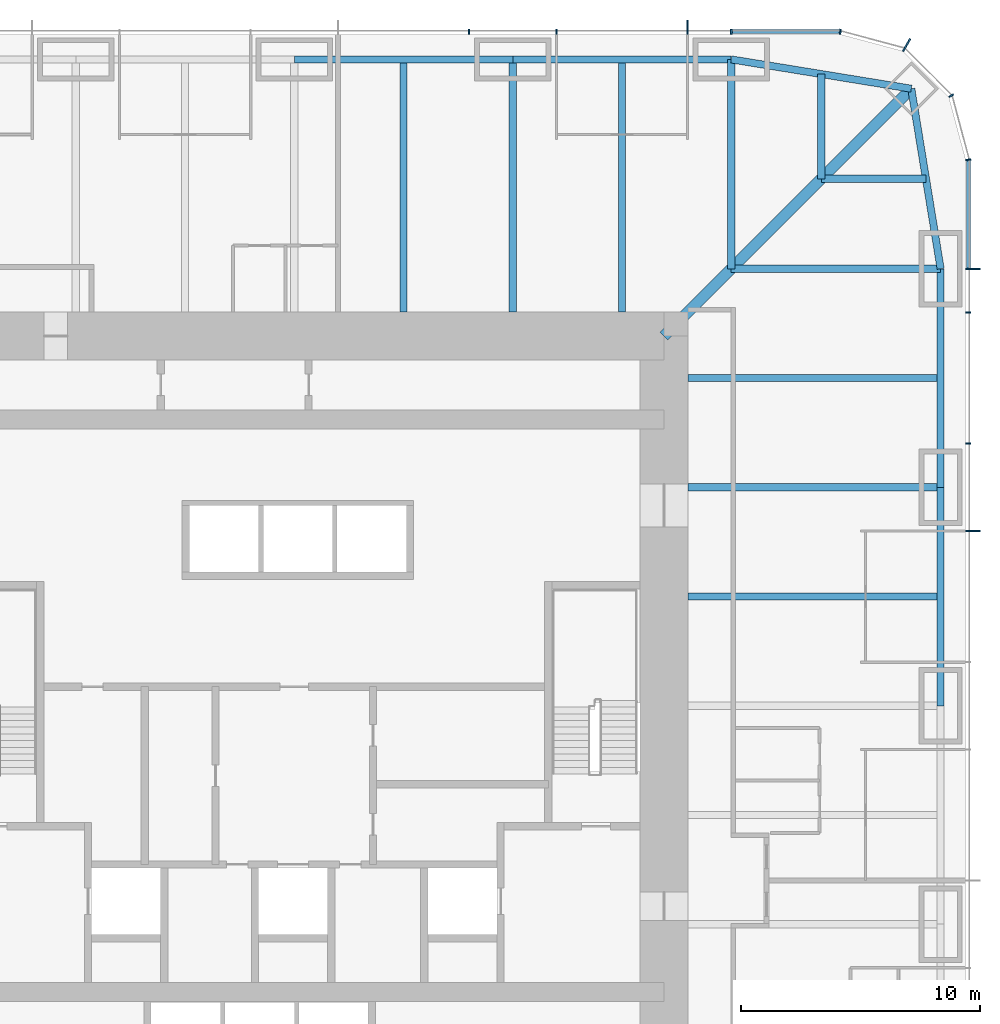
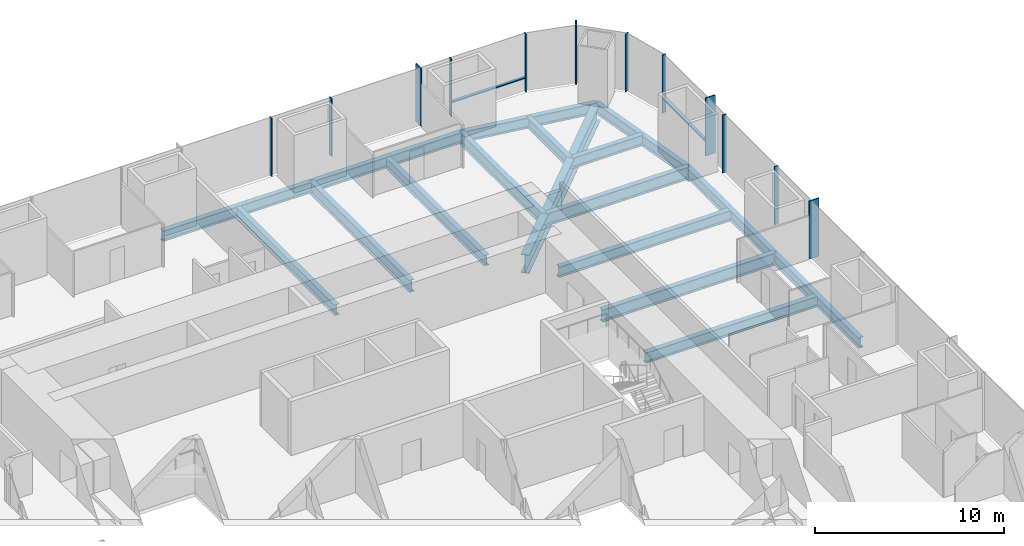
# One storey, part 5 of 11: 17 beams, 14 members, 3 elements without a shape of their own.
"""IFC4 building model written with IfcOpenShell, lengths in metres."""

from ifc_helpers import new_model, si_unit, direction, frame, origin, origin_2d, place, context, subcontext, project, spatial, rectangle, i_section, extrude, material, material_profile, profile_set, type_object, element, aggregate, save


model = new_model("IFC4")

# Units and contexts
model_context = context("Model", 3, precision=1e-05, world=origin(), true_north=direction((0.0, 1.0)))
body_context = subcontext(model_context, "Body", "Model", "MODEL_VIEW")
ifc_project = project(units=[si_unit("LENGTHUNIT", "METRE"), si_unit("AREAUNIT", "SQUARE_METRE"), si_unit("VOLUMEUNIT", "CUBIC_METRE"), si_unit("PLANEANGLEUNIT", "RADIAN"), si_unit("MASSUNIT", "GRAM", prefix="KILO")], contexts=[model_context])

# Site, building, storey
site_placement = place(None, origin())
site = spatial("IfcSite", under=ifc_project, at=site_placement, CompositionType="ELEMENT")
building_placement = place(site_placement, origin())
building = spatial("IfcBuilding", under=site, at=building_placement, Name="Khuree Lantern Residences", CompositionType="ELEMENT")
storey_placement = place(building_placement, frame((0.0, 0.0, 174.75)))
storey = spatial("IfcBuildingStorey", under=building, at=storey_placement, Name="L44", CompositionType="ELEMENT", Elevation=174.75)

# Beams
ifc_material_1 = material(Name="Steel S355", Category="steel")
ifc_material_profile_1 = material_profile(ifc_material_1, i_section(OverallWidth=0.300048828125, OverallDepth=0.68994140625, WebThickness=0.014404296875, FlangeThickness=0.027099609375, FilletRadius=0.027099609375, at=origin_2d()), Name="HE 700 A")
ifc_profile_set_1 = profile_set([ifc_material_profile_1], Name="Steel S355")
beam_type_1 = type_object("IfcBeamType", Name="B-25A SECONDARY BEAM HE 700 A", PredefinedType="BEAM", material=ifc_profile_set_1)
for number, where, z_axis, x_axis, name in (
    (1, (4.580078125, 27.10009765625, -0.594970703125), (0.0, -1.0, 0.0), (1.0, 0.0, 0.0), "Secondary beam N3"),
    (2, (13.739990234375, 27.10009765625, -0.594970703125), (0.0, -1.0, 0.0), (1.0, 0.0, 0.0), "Secondary beam N4"),
):
    element("IfcBeam", number, at=place(storey_placement, frame(where, z_axis=z_axis, x_axis=x_axis)), inside=storey, type_object=beam_type_1, Name=name, PredefinedType="BEAM", context=body_context, shape_type="SweptSolid", body=[
        extrude(i_section(OverallWidth=0.300048828125, OverallDepth=0.68994140625, WebThickness=0.014404296875, FlangeThickness=0.027099609375, FilletRadius=0.027099609375, at=origin_2d()), origin(), (0.0, 0.0, 1.0), 10.60009765625),
    ])
for number, where, z_axis, x_axis, name in (
    (3, (22.094970703125, 26.48486328125, -0.594970703125), (0.0, -1.0, 0.0), (1.0, 0.0, 0.0), "Secondary beam N5"),
    (4, (26.48486328125, 22.094970703125, -0.594970703125), (-1.0, 0.0, 0.0), (0.0, -1.0, 0.0), "Secondary beam E1"),
):
    element("IfcBeam", number, at=place(storey_placement, frame(where, z_axis=z_axis, x_axis=x_axis)), inside=storey, type_object=beam_type_1, Name=name, PredefinedType="BEAM", context=body_context, shape_type="SweptSolid", body=[
        extrude(i_section(OverallWidth=0.300048828125, OverallDepth=0.68994140625, WebThickness=0.014404296875, FlangeThickness=0.027099609375, FilletRadius=0.027099609375, at=origin_2d()), origin(), (0.0, 0.0, 1.0), 4.389892578125),
    ])
for number, where, z_axis, x_axis, name in (
    (5, (27.10009765625, 13.739990234375, -0.594970703125), (-1.0, 0.0, 0.0), (0.0, -1.0, 0.0), "Secondary beam E2"),
    (6, (27.10009765625, 4.580078125, -0.594970703125), (-1.0, 0.0, 0.0), (0.0, -1.0, 0.0), "Secondary beam E3"),
):
    element("IfcBeam", number, at=place(storey_placement, frame(where, z_axis=z_axis, x_axis=x_axis)), inside=storey, type_object=beam_type_1, Name=name, PredefinedType="BEAM", context=body_context, shape_type="SweptSolid", body=[
        extrude(i_section(OverallWidth=0.300048828125, OverallDepth=0.68994140625, WebThickness=0.014404296875, FlangeThickness=0.027099609375, FilletRadius=0.027099609375, at=origin_2d()), origin(), (0.0, 0.0, 1.0), 10.60009765625),
    ])
ifc_material_profile_2 = material_profile(ifc_material_1, i_section(OverallWidth=0.300048828125, OverallDepth=0.68994140625, WebThickness=0.014404296875, FlangeThickness=0.027099609375, FilletRadius=0.027099609375, at=origin_2d()), Name="HE 700 A")
ifc_profile_set_2 = profile_set([ifc_material_profile_2], Name="Steel S355")
beam_type_2 = type_object("IfcBeamType", Name="E-25 SPANDREL BEAM HE 700 A", PredefinedType="SPANDREL", material=ifc_profile_set_2)
beam_1_placement = place(storey_placement, frame((0.0, 27.10009765625, -0.594970703125), z_axis=(1.0, 0.0, 0.0), x_axis=(0.0, 1.0, 0.0)))
element("IfcBeam", 7, at=beam_1_placement, inside=storey, type_object=beam_type_2, Name="Spandrel beam N3", PredefinedType="SPANDREL", context=body_context, shape_type="SweptSolid", body=[
    extrude(i_section(OverallWidth=0.300048828125, OverallDepth=0.68994140625, WebThickness=0.014404296875, FlangeThickness=0.027099609375, FilletRadius=0.027099609375, at=origin_2d()), origin(), (0.0, 0.0, 1.0), 9.159912109375),
])
beam_2_placement = place(storey_placement, frame((9.159912109375, 27.10009765625, -0.594970703125), z_axis=(1.0, 0.0, 0.0), x_axis=(0.0, 1.0, 0.0)))
element("IfcBeam", 8, at=beam_2_placement, inside=storey, type_object=beam_type_2, Name="Spandrel beam N4", PredefinedType="SPANDREL", context=body_context, shape_type="SweptSolid", body=[
    extrude(i_section(OverallWidth=0.300048828125, OverallDepth=0.68994140625, WebThickness=0.014404296875, FlangeThickness=0.027099609375, FilletRadius=0.027099609375, at=origin_2d()), origin(), (0.0, 0.0, 1.0), 9.16015625),
])
for number, where, z_axis, x_axis, name in (
    (9, (18.320068359375, 27.10009765625, -0.594970703125), (0.986982656839, -0.160826723833, 0.0), (0.160826723833, 0.986982656839, 0.0), "Spandrel beam N5"),
    (10, (25.869873046875, 25.869873046875, -0.594970703125), (0.160826723833, -0.986982656839, 0.0), (0.986982656839, 0.160826723833, 0.0), "Spandrel beam E1"),
):
    element("IfcBeam", number, at=place(storey_placement, frame(where, z_axis=z_axis, x_axis=x_axis)), inside=storey, type_object=beam_type_2, Name=name, PredefinedType="SPANDREL", context=body_context, shape_type="SweptSolid", body=[
        extrude(i_section(OverallWidth=0.300048828125, OverallDepth=0.68994140625, WebThickness=0.014404296875, FlangeThickness=0.027099609375, FilletRadius=0.027099609375, at=origin_2d()), origin(), (0.0, 0.0, 1.0), 7.6494140625),
    ])
beam_3_placement = place(storey_placement, frame((27.10009765625, 18.320068359375, -0.594970703125), z_axis=(0.0, -1.0, 0.0), x_axis=(1.0, 0.0, 0.0)))
element("IfcBeam", 11, at=beam_3_placement, inside=storey, type_object=beam_type_2, Name="Spandrel beam E2", PredefinedType="SPANDREL", context=body_context, shape_type="SweptSolid", body=[
    extrude(i_section(OverallWidth=0.300048828125, OverallDepth=0.68994140625, WebThickness=0.014404296875, FlangeThickness=0.027099609375, FilletRadius=0.027099609375, at=origin_2d()), origin(), (0.0, 0.0, 1.0), 9.16015625),
])
beam_4_placement = place(storey_placement, frame((27.10009765625, 9.159912109375, -0.594970703125), z_axis=(0.0, -1.0, 0.0), x_axis=(1.0, 0.0, 0.0)))
element("IfcBeam", 12, at=beam_4_placement, inside=storey, type_object=beam_type_2, Name="Spandrel beam E3", PredefinedType="SPANDREL", context=body_context, shape_type="SweptSolid", body=[
    extrude(i_section(OverallWidth=0.300048828125, OverallDepth=0.68994140625, WebThickness=0.014404296875, FlangeThickness=0.027099609375, FilletRadius=0.027099609375, at=origin_2d()), origin(), (0.0, 0.0, 1.0), 9.159912109375),
])

# Curtain wall, members
ifc_material_2 = material(Name="Bronze anodised aluminium", Category="aluminium")
curtain_wall_type_1 = type_object("IfcCurtainWallType", Name="CW-T1 TOWER FACE CURTAIN WALL", PredefinedType="USERDEFINED", material=ifc_material_2)
curtain_wall_1_placement = place(storey_placement, origin())
curtain_wall_1 = element("IfcCurtainWall", 13, at=curtain_wall_1_placement, inside=storey, type_object=curtain_wall_type_1, Name="L44 EAST FACE CURTAIN WALL", ObjectType="Stick-built curtain wall", PredefinedType="USERDEFINED")
ifc_material_profile_3 = material_profile(ifc_material_2, rectangle(XDim=0.06494140625, YDim=0.60009765625, at=origin_2d()), Name="F1 65X600")
ifc_profile_set_3 = profile_set([ifc_material_profile_3], Name="Bronze anodised aluminium")
member_type_1 = type_object("IfcMemberType", Name="F1 BRONZE FIN MULLION TOWER 65X600", PredefinedType="MULLION", material=ifc_profile_set_3)
member_1_placement = place(storey_placement, frame((28.449951171875, 7.327880859375, 0.0), z_axis=(0.0, 0.0, 1.0), x_axis=(0.0, 1.0, 0.0)))
member_1 = element("IfcMember", 14, at=member_1_placement, type_object=member_type_1, Name="L44 EAST FACE FIN MULLION 11", PredefinedType="MULLION", context=body_context, shape_type="SweptSolid", body=[
    extrude(rectangle(XDim=0.06494140625, YDim=0.60009765625, at=origin_2d()), origin(), (0.0, 0.0, 1.0), 3.75),
])
member_2_placement = place(storey_placement, frame((28.449951171875, 18.320068359375, 0.0), z_axis=(0.0, 0.0, 1.0), x_axis=(0.0, 1.0, 0.0)))
member_2 = element("IfcMember", 15, at=member_2_placement, type_object=member_type_1, Name="L44 EAST FACE FIN MULLION 14", PredefinedType="MULLION", context=body_context, shape_type="SweptSolid", body=[
    extrude(rectangle(XDim=0.06494140625, YDim=0.60009765625, at=origin_2d()), origin(), (0.0, 0.0, 1.0), 3.75),
])

# Curtain wall, member
curtain_wall_type_2 = type_object("IfcCurtainWallType", Name="CW-T2 TOWER CORNER CURTAIN WALL", PredefinedType="USERDEFINED", material=ifc_material_2)
curtain_wall_2_placement = place(storey_placement, origin())
curtain_wall_2 = element("IfcCurtainWall", 16, at=curtain_wall_2_placement, inside=storey, type_object=curtain_wall_type_2, Name="L44 NORTH-EAST CORNER CURTAIN WALL", ObjectType="Faceted corner curtain wall", PredefinedType="USERDEFINED")
member_3_placement = place(storey_placement, frame((25.675048828125, 27.70654296875, 0.0), z_axis=(0.0, 0.0, 1.0), x_axis=(-0.866025388199, 0.500000026995, 0.0)))
member_3 = element("IfcMember", 17, at=member_3_placement, type_object=member_type_1, Name="L44 NORTH-EAST CORNER FIN MULLION 17", PredefinedType="MULLION", context=body_context, shape_type="SweptSolid", body=[
    extrude(rectangle(XDim=0.06494140625, YDim=0.60009765625, at=origin_2d()), origin(), (0.0, 0.0, 1.0), 3.75),
])

curtain_wall_3_placement = place(storey_placement, origin())
curtain_wall_3 = element("IfcCurtainWall", 18, at=curtain_wall_3_placement, inside=storey, type_object=curtain_wall_type_1, Name="L44 NORTH FACE CURTAIN WALL", ObjectType="Stick-built curtain wall", PredefinedType="USERDEFINED")
member_4_placement = place(storey_placement, frame((16.488037109375, 28.449951171875, 0.0), z_axis=(0.0, 0.0, 1.0), x_axis=(-1.0, 0.0, 0.0)))
member_4 = element("IfcMember", 19, at=member_4_placement, type_object=member_type_1, Name="L44 NORTH FACE FIN MULLION 20", PredefinedType="MULLION", context=body_context, shape_type="SweptSolid", body=[
    extrude(rectangle(XDim=0.06494140625, YDim=0.60009765625, at=origin_2d()), origin(), (0.0, 0.0, 1.0), 3.75),
])

# Beams
ifc_material_profile_4 = material_profile(ifc_material_1, i_section(OverallWidth=0.300048828125, OverallDepth=0.800048828125, WebThickness=0.017578125, FlangeThickness=0.032958984375, FilletRadius=0.030029296875, at=origin_2d()), Name="HE 800 B")
ifc_profile_set_4 = profile_set([ifc_material_profile_4], Name="Steel S355")
beam_type_3 = type_object("IfcBeamType", Name="G-25A GIRDER HE 800 B", PredefinedType="BEAM", material=ifc_profile_set_4)
beam_5_placement = place(storey_placement, frame((9.159912109375, 27.10009765625, -0.64990234375), z_axis=(0.0, -1.0, 0.0), x_axis=(1.0, 0.0, 0.0)))
element("IfcBeam", 20, at=beam_5_placement, inside=storey, type_object=beam_type_3, Name="Girder N4", PredefinedType="BEAM", context=body_context, shape_type="SweptSolid", body=[
    extrude(i_section(OverallWidth=0.300048828125, OverallDepth=0.800048828125, WebThickness=0.017578125, FlangeThickness=0.032958984375, FilletRadius=0.030029296875, at=origin_2d()), origin(), (0.0, 0.0, 1.0), 10.60009765625),
])
for number, where, z_axis, x_axis, name in (
    (21, (18.320068359375, 27.10009765625, -0.64990234375), (0.0, -1.0, 0.0), (1.0, 0.0, 0.0), "Girder N5"),
    (22, (27.10009765625, 18.320068359375, -0.64990234375), (-1.0, 0.0, 0.0), (0.0, -1.0, 0.0), "Girder E1"),
):
    element("IfcBeam", number, at=place(storey_placement, frame(where, z_axis=z_axis, x_axis=x_axis)), inside=storey, type_object=beam_type_3, Name=name, PredefinedType="BEAM", context=body_context, shape_type="SweptSolid", body=[
        extrude(i_section(OverallWidth=0.300048828125, OverallDepth=0.800048828125, WebThickness=0.017578125, FlangeThickness=0.032958984375, FilletRadius=0.030029296875, at=origin_2d()), origin(), (0.0, 0.0, 1.0), 8.780029296875),
    ])
beam_6_placement = place(storey_placement, frame((27.10009765625, 9.159912109375, -0.64990234375), z_axis=(-1.0, 0.0, 0.0), x_axis=(0.0, -1.0, 0.0)))
element("IfcBeam", 23, at=beam_6_placement, inside=storey, type_object=beam_type_3, Name="Girder E2", PredefinedType="BEAM", context=body_context, shape_type="SweptSolid", body=[
    extrude(i_section(OverallWidth=0.300048828125, OverallDepth=0.800048828125, WebThickness=0.017578125, FlangeThickness=0.032958984375, FilletRadius=0.030029296875, at=origin_2d()), origin(), (0.0, 0.0, 1.0), 10.60009765625),
])
ifc_material_profile_5 = material_profile(ifc_material_1, i_section(OverallWidth=0.449951171875, OverallDepth=1.199951171875, WebThickness=0.02490234375, FlangeThickness=0.044921875, at=origin_2d()), Name="WELDED I 1200X450X25X45")
ifc_profile_set_5 = profile_set([ifc_material_profile_5], Name="Steel S355")
beam_type_4 = type_object("IfcBeamType", Name="GD-25 CORNER GIRDER WELDED I 1200X450X25X45", PredefinedType="BEAM", material=ifc_profile_set_5)
beam_7_placement = place(storey_placement, frame((25.869873046875, 25.869873046875, -0.85009765625), z_axis=(-0.707106781187, -0.707106781187, 0.0), x_axis=(0.707106781187, -0.707106781187, 0.0)))
element("IfcBeam", 24, at=beam_7_placement, inside=storey, type_object=beam_type_4, Name="Corner girder NE", PredefinedType="BEAM", context=body_context, shape_type="SweptSolid", body=[
    extrude(i_section(OverallWidth=0.449951171875, OverallDepth=1.199951171875, WebThickness=0.02490234375, FlangeThickness=0.044921875, at=origin_2d()), origin(), (0.0, 0.0, 1.0), 14.665283203125),
])

# Member
ifc_material_profile_6 = material_profile(ifc_material_2, rectangle(XDim=0.06494140625, YDim=0.219970703125, at=origin_2d()), Name="M1 65X220")
ifc_profile_set_6 = profile_set([ifc_material_profile_6], Name="Bronze anodised aluminium")
member_type_2 = type_object("IfcMemberType", Name="M1 BRONZE MULLION TOWER 65X220", PredefinedType="MULLION", material=ifc_profile_set_6)
member_5_placement = place(storey_placement, frame((28.260009765625, 10.991943359375, 0.0), z_axis=(0.0, 0.0, 1.0), x_axis=(0.0, 1.0, 0.0)))
member_5 = element("IfcMember", 25, at=member_5_placement, type_object=member_type_2, Name="L44 EAST FACE MULLION 12", PredefinedType="MULLION", context=body_context, shape_type="SweptSolid", body=[
    extrude(rectangle(XDim=0.06494140625, YDim=0.219970703125, at=origin_2d()), origin(), (0.0, 0.0, 1.0), 3.75),
])

member_6_placement = place(storey_placement, frame((28.260009765625, 16.488037109375, 0.0), z_axis=(0.0, 0.0, 1.0), x_axis=(0.0, 1.0, 0.0)))
member_6 = element("IfcMember", 26, at=member_6_placement, type_object=member_type_2, Name="L44 EAST FACE MULLION 13", PredefinedType="MULLION", context=body_context, shape_type="SweptSolid", body=[
    extrude(rectangle(XDim=0.06494140625, YDim=0.219970703125, at=origin_2d()), origin(), (0.0, 0.0, 1.0), 3.75),
])

member_7_placement = place(storey_placement, frame((28.26171875, 22.89501953125, 0.0), z_axis=(0.0, 0.0, 1.0), x_axis=(-0.130526223125, 0.991444857305, 0.0)))
member_7 = element("IfcMember", 27, at=member_7_placement, type_object=member_type_2, Name="L44 NORTH-EAST CORNER MULLION 15", PredefinedType="MULLION", context=body_context, shape_type="SweptSolid", body=[
    extrude(rectangle(XDim=0.06494140625, YDim=0.219970703125, at=origin_2d()), origin(), (0.0, 0.0, 1.0), 3.75),
])

member_8_placement = place(storey_placement, frame((27.5419921875, 25.580078125, 0.0), z_axis=(0.0, 0.0, 1.0), x_axis=(-0.500000026995, 0.866025388199, 0.0)))
member_8 = element("IfcMember", 28, at=member_8_placement, type_object=member_type_2, Name="L44 NORTH-EAST CORNER MULLION 16", PredefinedType="MULLION", context=body_context, shape_type="SweptSolid", body=[
    extrude(rectangle(XDim=0.06494140625, YDim=0.219970703125, at=origin_2d()), origin(), (0.0, 0.0, 1.0), 3.75),
])

aggregate(curtain_wall_2, [member_7, member_8, member_3])

member_9_placement = place(storey_placement, frame((22.89501953125, 28.26171875, 0.0), z_axis=(0.0, 0.0, 1.0), x_axis=(-0.991444857305, 0.130526223125, 0.0)))
member_9 = element("IfcMember", 29, at=member_9_placement, type_object=member_type_2, Name="L44 NORTH FACE MULLION 18", PredefinedType="MULLION", context=body_context, shape_type="SweptSolid", body=[
    extrude(rectangle(XDim=0.06494140625, YDim=0.219970703125, at=origin_2d()), origin(), (0.0, 0.0, 1.0), 3.75),
])

member_10_placement = place(storey_placement, frame((18.320068359375, 28.260009765625, 0.0), z_axis=(0.0, 0.0, 1.0), x_axis=(-1.0, 0.0, 0.0)))
member_10 = element("IfcMember", 30, at=member_10_placement, type_object=member_type_2, Name="L44 NORTH FACE MULLION 19", PredefinedType="MULLION", context=body_context, shape_type="SweptSolid", body=[
    extrude(rectangle(XDim=0.06494140625, YDim=0.219970703125, at=origin_2d()), origin(), (0.0, 0.0, 1.0), 3.75),
])

member_11_placement = place(storey_placement, frame((10.991943359375, 28.260009765625, 0.0), z_axis=(0.0, 0.0, 1.0), x_axis=(-1.0, 0.0, 0.0)))
member_11 = element("IfcMember", 31, at=member_11_placement, type_object=member_type_2, Name="L44 NORTH FACE MULLION 21", PredefinedType="MULLION", context=body_context, shape_type="SweptSolid", body=[
    extrude(rectangle(XDim=0.06494140625, YDim=0.219970703125, at=origin_2d()), origin(), (0.0, 0.0, 1.0), 3.75),
])

member_12_placement = place(storey_placement, frame((7.327880859375, 28.260009765625, 0.0), z_axis=(0.0, 0.0, 1.0), x_axis=(-1.0, 0.0, 0.0)))
member_12 = element("IfcMember", 32, at=member_12_placement, type_object=member_type_2, Name="L44 NORTH FACE MULLION 22", PredefinedType="MULLION", context=body_context, shape_type="SweptSolid", body=[
    extrude(rectangle(XDim=0.06494140625, YDim=0.219970703125, at=origin_2d()), origin(), (0.0, 0.0, 1.0), 3.75),
])

ifc_material_profile_7 = material_profile(ifc_material_2, rectangle(XDim=0.179931640625, YDim=0.06494140625, at=origin_2d()), Name="T1 180X65")
ifc_profile_set_7 = profile_set([ifc_material_profile_7], Name="Bronze anodised aluminium")
member_type_3 = type_object("IfcMemberType", Name="TRANSOM T1 TOWER 180X65", PredefinedType="USERDEFINED", material=ifc_profile_set_7)
member_13_placement = place(storey_placement, frame((28.27001953125, 18.3525390625, 0.89990234375), z_axis=(0.0, 1.0, 0.0), x_axis=(-1.0, 0.0, 0.0)))
member_13 = element("IfcMember", 33, at=member_13_placement, type_object=member_type_3, Name="L44 EAST FACE TRANSOM 14.1", ObjectType="Transom", PredefinedType="USERDEFINED", context=body_context, shape_type="SweptSolid", body=[
    extrude(rectangle(XDim=0.179931640625, YDim=0.06494140625, at=origin_2d()), origin(), (0.0, 0.0, 1.0), 4.498779296875),
])

aggregate(curtain_wall_1, [member_1, member_5, member_6, member_2, member_13])

member_14_placement = place(storey_placement, frame((22.851318359375, 28.27001953125, 0.89990234375), z_axis=(-1.0, 0.0, 0.0), x_axis=(0.0, -1.0, 0.0)))
member_14 = element("IfcMember", 34, at=member_14_placement, type_object=member_type_3, Name="L44 NORTH FACE TRANSOM 18.1", ObjectType="Transom", PredefinedType="USERDEFINED", context=body_context, shape_type="SweptSolid", body=[
    extrude(rectangle(XDim=0.179931640625, YDim=0.06494140625, at=origin_2d()), origin(), (0.0, 0.0, 1.0), 4.498779296875),
])

aggregate(curtain_wall_3, [member_9, member_10, member_4, member_11, member_12, member_14])

save(model, "model.ifc")
